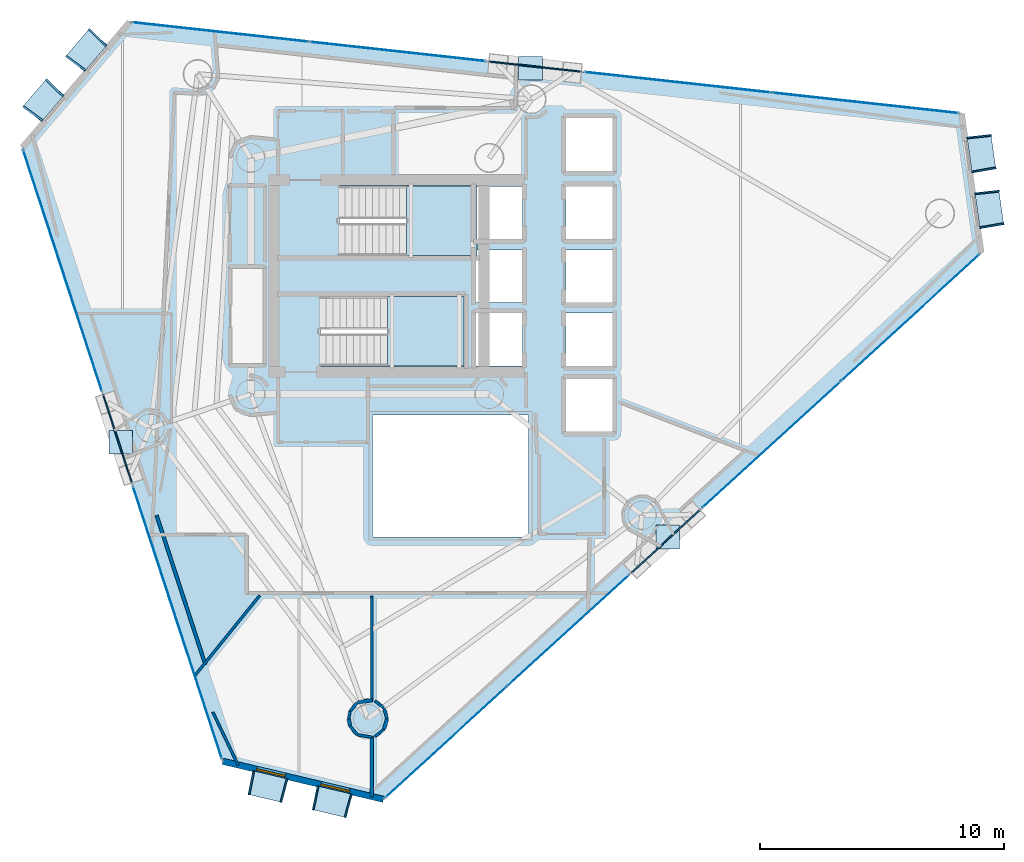
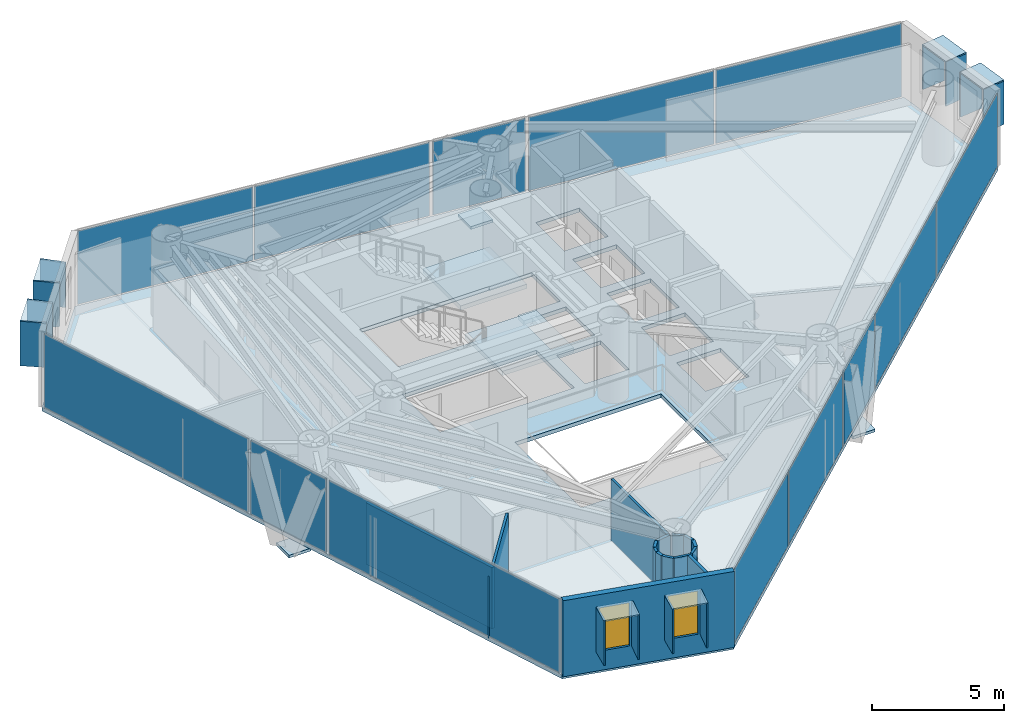
# One storey, part 18 of 24: 34 plates, 16 walls, 3 slabs, 2 windows, 2 openings, 11 elements without a shape of their own.
"""IFC4 building model written with IfcOpenShell, lengths in metres."""

from ifc_helpers import new_model, si_unit, direction, frame, frame_2d, origin, origin_2d, place, context, subcontext, project, spatial, polyline, rectangle, outline, extrude, material, layer, layer_set, type_object, element, fill, aggregate, save


model = new_model("IFC4")

# Units and contexts
model_context = context("Model", 3, precision=1e-05, world=origin(), true_north=direction((0.0, 1.0)))
body_context = subcontext(model_context, "Body", "Model", "MODEL_VIEW")
ifc_project = project(units=[si_unit("LENGTHUNIT", "METRE"), si_unit("AREAUNIT", "SQUARE_METRE"), si_unit("VOLUMEUNIT", "CUBIC_METRE"), si_unit("PLANEANGLEUNIT", "RADIAN"), si_unit("MASSUNIT", "GRAM", prefix="KILO")], contexts=[model_context])

# Site, building, storey
site_placement = place(None, origin())
site = spatial("IfcSite", under=ifc_project, at=site_placement, CompositionType="ELEMENT")
building_placement = place(site_placement, origin())
building = spatial("IfcBuilding", under=site, at=building_placement, Name="Qianvela Tower", CompositionType="ELEMENT")
storey_placement = place(building_placement, frame((0.0, 0.0, 222.5)))
storey = spatial("IfcBuildingStorey", under=building, at=storey_placement, Name="L57", CompositionType="ELEMENT", Elevation=222.5)

# Curtain wall, plate
ifc_material_1 = material(Name="Anodised Architectural Aluminium and Insulated Spandrel Panel", Category="aluminium")
ifc_layer_1 = layer(ifc_material_1, 0.179931640625)
ifc_layer_set_1 = layer_set([ifc_layer_1], Name="Anodised Architectural Aluminium and Insulated Spandrel Panel")
curtain_wall_type_1 = type_object("IfcCurtainWallType", Name="CW-BRACEBAY", PredefinedType="USERDEFINED", material=ifc_layer_set_1)
curtain_wall_1_placement = place(storey_placement, origin())
curtain_wall_1 = element("IfcCurtainWall", 1, at=curtain_wall_1_placement, inside=storey, type_object=curtain_wall_type_1, Name="L57 CW-BRACEBAY Curtain Wall 02B", ObjectType="CURTAIN_WALL_SYSTEM", PredefinedType="USERDEFINED")
ifc_material_2 = material(Name="Insulated Aluminium Spandrel Panel with Mineral-Wool Backpan", Category="aluminium")
ifc_layer_2 = layer(ifc_material_2, 0.06005859375)
ifc_layer_set_2 = layer_set([ifc_layer_2], Name="Insulated Aluminium Spandrel Panel with Mineral-Wool Backpan")
plate_type_1 = type_object("IfcPlateType", Name="CW-BRACEBAY-PNL", PredefinedType="CURTAIN_PANEL", material=ifc_layer_set_2)
plate_1_placement = place(storey_placement, frame((40.280517578125, 37.299072265625, 0.06494140625), z_axis=(0.0, 0.0, 1.0), x_axis=(-0.9940120737, 0.109270294859, 0.0)))
plate_1 = element("IfcPlate", 2, at=plate_1_placement, type_object=plate_type_1, Name="CW-9 panel 1.1", PredefinedType="CURTAIN_PANEL", context=body_context, shape_type="SweptSolid", body=[
    extrude(rectangle(XDim=3.840087890625, YDim=0.06005859375, at=origin_2d()), origin(), (0.0, 0.0, 1.0), 3.389892578125),
])
aggregate(curtain_wall_1, [plate_1])

curtain_wall_2_placement = place(storey_placement, origin())
curtain_wall_2 = element("IfcCurtainWall", 3, at=curtain_wall_2_placement, inside=storey, type_object=curtain_wall_type_1, Name="L57 CW-BRACEBAY Curtain Wall 04B", ObjectType="CURTAIN_WALL_SYSTEM", PredefinedType="USERDEFINED")
plate_2_placement = place(storey_placement, frame((23.135498046875, 22.023681640625, 0.06494140625), z_axis=(0.0, 0.0, 1.0), x_axis=(0.310350218806, -0.950622291811, 0.0)))
plate_2 = element("IfcPlate", 4, at=plate_2_placement, type_object=plate_type_1, Name="CW-9 panel 1.1", PredefinedType="CURTAIN_PANEL", context=body_context, shape_type="SweptSolid", body=[
    extrude(rectangle(XDim=3.840087890625, YDim=0.06005859375, at=origin_2d()), origin(), (0.0, 0.0, 1.0), 3.389892578125),
])
aggregate(curtain_wall_2, [plate_2])

curtain_wall_3_placement = place(storey_placement, origin())
curtain_wall_3 = element("IfcCurtainWall", 5, at=curtain_wall_3_placement, inside=storey, type_object=curtain_wall_type_1, Name="L57 CW-BRACEBAY Curtain Wall 06B", ObjectType="CURTAIN_WALL_SYSTEM", PredefinedType="USERDEFINED")
plate_3_placement = place(storey_placement, frame((45.6416015625, 17.81396484375, 0.06494140625), z_axis=(0.0, 0.0, 1.0), x_axis=(0.738055623653, 0.674739873132, 0.0)))
plate_3 = element("IfcPlate", 6, at=plate_3_placement, type_object=plate_type_1, Name="CW-9 panel 1.1", PredefinedType="CURTAIN_PANEL", context=body_context, shape_type="SweptSolid", body=[
    extrude(rectangle(XDim=3.85009765625, YDim=0.06005859375, at=origin_2d()), origin(), (0.0, 0.0, 1.0), 3.389892578125),
])
aggregate(curtain_wall_3, [plate_3])

# Curtain wall, plates
ifc_material_3 = material(Name="Anodised Architectural Aluminium and Low-E Glass", Category="aluminium")
ifc_layer_3 = layer(ifc_material_3, 0.159912109375)
ifc_layer_set_3 = layer_set([ifc_layer_3], Name="Anodised Architectural Aluminium and Low-E Glass")
curtain_wall_type_2 = type_object("IfcCurtainWallType", Name="CW-COLIV-Z56", PredefinedType="USERDEFINED", material=ifc_layer_set_3)
curtain_wall_4_placement = place(storey_placement, origin())
curtain_wall_4 = element("IfcCurtainWall", 7, at=curtain_wall_4_placement, inside=storey, type_object=curtain_wall_type_2, Name="L57 CW-COLIV-Z56 Curtain Wall 02A", ObjectType="CURTAIN_WALL_SYSTEM", PredefinedType="USERDEFINED")
ifc_material_4 = material(Name="Double-Silver Low-E Insulated Glass", Category="glass")
ifc_layer_4 = layer(ifc_material_4, 0.028076171875)
ifc_layer_set_4 = layer_set([ifc_layer_4], Name="Double-Silver Low-E Insulated Glass")
plate_type_2 = type_object("IfcPlateType", Name="CW-COLIV-Z56-PNL", PredefinedType="CURTAIN_PANEL", material=ifc_layer_set_4)
plate_4_placement = place(storey_placement, frame((53.84521484375, 35.807861328125, 0.06005859375), z_axis=(0.0, 0.0, 1.0), x_axis=(-0.994013064318, 0.109261283012, 0.0)))
plate_4 = element("IfcPlate", 8, at=plate_4_placement, type_object=plate_type_2, Name="CW-5 panel 1.1", PredefinedType="CURTAIN_PANEL", context=body_context, shape_type="SweptSolid", body=[
    extrude(rectangle(XDim=7.6875, YDim=0.028076171875, at=origin_2d()), origin(), (0.0, 0.0, 1.0), 3.39990234375),
])
plate_5_placement = place(storey_placement, frame((46.13916015625, 36.655029296875, 0.06005859375), z_axis=(0.0, 0.0, 1.0), x_axis=(-0.994013064318, 0.109261283012, 0.0)))
plate_5 = element("IfcPlate", 9, at=plate_5_placement, type_object=plate_type_2, Name="CW-5 panel 2.1", PredefinedType="CURTAIN_PANEL", context=body_context, shape_type="SweptSolid", body=[
    extrude(rectangle(XDim=7.6875, YDim=0.028076171875, at=origin_2d()), origin(), (0.0, 0.0, 1.0), 3.39990234375),
])
aggregate(curtain_wall_4, [plate_4, plate_5])

curtain_wall_5_placement = place(storey_placement, origin())
curtain_wall_5 = element("IfcCurtainWall", 10, at=curtain_wall_5_placement, inside=storey, type_object=curtain_wall_type_2, Name="L57 CW-COLIV-Z56 Curtain Wall 02C", ObjectType="CURTAIN_WALL_SYSTEM", PredefinedType="USERDEFINED")
plate_6_placement = place(storey_placement, frame((34.63623046875, 37.91943359375, 0.06005859375), z_axis=(0.0, 0.0, 1.0), x_axis=(-0.994012968631, 0.109262153523, 0.0)))
plate_6 = element("IfcPlate", 11, at=plate_6_placement, type_object=plate_type_2, Name="CW-5 panel 1.1", PredefinedType="CURTAIN_PANEL", context=body_context, shape_type="SweptSolid", body=[
    extrude(rectangle(XDim=7.2568359375, YDim=0.028076171875, at=origin_2d()), origin(), (0.0, 0.0, 1.0), 3.39990234375),
])
plate_7_placement = place(storey_placement, frame((27.358154296875, 38.719482421875, 0.06005859375), z_axis=(0.0, 0.0, 1.0), x_axis=(-0.994012968631, 0.109262153523, 0.0)))
plate_7 = element("IfcPlate", 12, at=plate_7_placement, type_object=plate_type_2, Name="CW-5 panel 2.1", PredefinedType="CURTAIN_PANEL", context=body_context, shape_type="SweptSolid", body=[
    extrude(rectangle(XDim=7.2568359375, YDim=0.028076171875, at=origin_2d()), origin(), (0.0, 0.0, 1.0), 3.39990234375),
])
aggregate(curtain_wall_5, [plate_6, plate_7])

# Curtain wall, plate
curtain_wall_6_placement = place(storey_placement, origin())
curtain_wall_6 = element("IfcCurtainWall", 13, at=curtain_wall_6_placement, inside=storey, type_object=curtain_wall_type_2, Name="L57 CW-COLIV-Z56 Curtain Wall 04A", ObjectType="CURTAIN_WALL_SYSTEM", PredefinedType="USERDEFINED")
plate_8_placement = place(storey_placement, frame((20.8837890625, 28.920654296875, 0.06005859375), z_axis=(0.0, 0.0, 1.0), x_axis=(0.310341241486, -0.950625222595, 0.0)))
plate_8 = element("IfcPlate", 14, at=plate_8_placement, type_object=plate_type_2, Name="CW-5 panel 1.1", PredefinedType="CURTAIN_PANEL", context=body_context, shape_type="SweptSolid", body=[
    extrude(rectangle(XDim=10.409912109375, YDim=0.028076171875, at=origin_2d()), origin(), (0.0, 0.0, 1.0), 3.39990234375),
])
aggregate(curtain_wall_6, [plate_8])

curtain_wall_7_placement = place(storey_placement, origin())
curtain_wall_7 = element("IfcCurtainWall", 15, at=curtain_wall_7_placement, inside=storey, type_object=curtain_wall_type_2, Name="L57 CW-COLIV-Z56 Curtain Wall 04C", ObjectType="CURTAIN_WALL_SYSTEM", PredefinedType="USERDEFINED")
plate_9_placement = place(storey_placement, frame((25.597412109375, 14.482421875, 0.06005859375), z_axis=(0.0, 0.0, 1.0), x_axis=(0.310343337328, -0.950624538383, 0.0)))
plate_9 = element("IfcPlate", 16, at=plate_9_placement, type_object=plate_type_2, Name="CW-5 panel 1.1", PredefinedType="CURTAIN_PANEL", context=body_context, shape_type="SweptSolid", body=[
    extrude(rectangle(XDim=11.76611328125, YDim=0.028076171875, at=origin_2d()), origin(), (0.0, 0.0, 1.0), 3.39990234375),
])
aggregate(curtain_wall_7, [plate_9])

# Curtain wall, plates
curtain_wall_8_placement = place(storey_placement, origin())
curtain_wall_8 = element("IfcCurtainWall", 17, at=curtain_wall_8_placement, inside=storey, type_object=curtain_wall_type_2, Name="L57 CW-COLIV-Z56 Curtain Wall 06A", ObjectType="CURTAIN_WALL_SYSTEM", PredefinedType="USERDEFINED")
plate_10_placement = place(storey_placement, frame((36.623291015625, 9.569580078125, 0.06005859375), z_axis=(0.0, 0.0, 1.0), x_axis=(0.738066309178, 0.674728184721, 0.0)))
plate_10 = element("IfcPlate", 18, at=plate_10_placement, type_object=plate_type_2, Name="CW-5 panel 1.1", PredefinedType="CURTAIN_PANEL", context=body_context, shape_type="SweptSolid", body=[
    extrude(rectangle(XDim=6.732421875, YDim=0.028076171875, at=origin_2d()), origin(), (0.0, 0.0, 1.0), 3.39990234375),
])
plate_11_placement = place(storey_placement, frame((41.640380859375, 14.156005859375, 0.06005859375), z_axis=(0.0, 0.0, 1.0), x_axis=(0.738066309178, 0.674728184721, 0.0)))
plate_11 = element("IfcPlate", 19, at=plate_11_placement, type_object=plate_type_2, Name="CW-5 panel 2.1", PredefinedType="CURTAIN_PANEL", context=body_context, shape_type="SweptSolid", body=[
    extrude(rectangle(XDim=6.732421875, YDim=0.028076171875, at=origin_2d()), origin(), (0.0, 0.0, 1.0), 3.39990234375),
])
aggregate(curtain_wall_8, [plate_10, plate_11])

curtain_wall_9_placement = place(storey_placement, origin())
curtain_wall_9 = element("IfcCurtainWall", 20, at=curtain_wall_9_placement, inside=storey, type_object=curtain_wall_type_2, Name="L57 CW-COLIV-Z56 Curtain Wall 06C", ObjectType="CURTAIN_WALL_SYSTEM", PredefinedType="USERDEFINED")
plate_12_placement = place(storey_placement, frame((49.983154296875, 21.782958984375, 0.06005859375), z_axis=(0.0, 0.0, 1.0), x_axis=(0.738065886599, 0.674728646967, 0.0)))
plate_12 = element("IfcPlate", 21, at=plate_12_placement, type_object=plate_type_2, Name="CW-5 panel 1.1", PredefinedType="CURTAIN_PANEL", context=body_context, shape_type="SweptSolid", body=[
    extrude(rectangle(XDim=7.654541015625, YDim=0.028076171875, at=origin_2d()), origin(), (0.0, 0.0, 1.0), 3.39990234375),
])
plate_13_placement = place(storey_placement, frame((55.6806640625, 26.99169921875, 0.06005859375), z_axis=(0.0, 0.0, 1.0), x_axis=(0.738065886599, 0.674728646967, 0.0)))
plate_13 = element("IfcPlate", 22, at=plate_13_placement, type_object=plate_type_2, Name="CW-5 panel 2.1", PredefinedType="CURTAIN_PANEL", context=body_context, shape_type="SweptSolid", body=[
    extrude(rectangle(XDim=7.654541015625, YDim=0.028076171875, at=origin_2d()), origin(), (0.0, 0.0, 1.0), 3.39990234375),
])
aggregate(curtain_wall_9, [plate_12, plate_13])

# Plates
ifc_material_5 = material(Name="Steel Q420GJC", Category="steel")
ifc_layer_5 = layer(ifc_material_5, 0.1298828125)
ifc_layer_set_5 = layer_set([ifc_layer_5], Name="Steel Q420GJC")
plate_type_3 = type_object("IfcPlateType", Name="PT-ENDCAP-130", PredefinedType="USERDEFINED", material=ifc_layer_set_5)
for number, where, z_axis, x_axis, name in (
    (23, (40.092529296875, 37.2392578125, -0.603271484375), (0.0, 0.0, 1.0), (1.0, 0.0, 0.0), "L57 Hollow Section End Cap Plate A"),
    (24, (23.266357421875, 21.880615234375, -0.603271484375), (0.0, 0.0, 1.0), (1.0, 0.0, 0.0), "L57 Hollow Section End Cap Plate A"),
    (25, (45.71875, 17.992919921875, -0.603271484375), (0.0, 0.0, 1.0), (1.0, 0.0, 0.0), "L57 Hollow Section End Cap Plate A"),
):
    element("IfcPlate", number, at=place(storey_placement, frame(where, z_axis=z_axis, x_axis=x_axis)), inside=storey, type_object=plate_type_3, Name=name, ObjectType="END_CAP", PredefinedType="USERDEFINED", context=body_context, shape_type="SweptSolid", body=[
        extrude(rectangle(XDim=0.969970703125, YDim=0.969970703125, at=origin_2d()), origin(), (0.0, 0.0, 1.0), 0.1298828125),
    ])

# Slab
ifc_material_6 = material(Name="Concrete C40", Category="concrete")
ifc_layer_6 = layer(ifc_material_6, 0.179931640625)
ifc_layer_set_6 = layer_set([ifc_layer_6], Name="Concrete C40")
slab_type_1 = type_object("IfcSlabType", Name="SL-FLOOR-180", PredefinedType="FLOOR", material=ifc_layer_set_6)
slab_1_placement = place(storey_placement, frame((0.0, 0.0, -0.179931640625)))
element("IfcSlab", 26, at=slab_1_placement, inside=storey, type_object=slab_type_1, Name="L57 Composite Structural Floor Slab", PredefinedType="FLOOR", context=body_context, shape_type="SweptSolid", body=[
    extrude(outline(polyline([(58.59033203125, 29.651611328125), (57.7802734375, 35.37548828125), (23.63720703125, 39.12841796875), (19.23291015625, 33.977783203125), (27.458984375, 8.780517578125), (34.053955078125, 7.220703125), (58.59033203125, 29.651611328125)]), holes=[polyline([(40.0, 23.0), (33.60009765625, 23.0), (33.60009765625, 18.0), (40.0, 18.0), (40.0, 23.0)]), polyline([(39.760009765625, 27.179931640625), (37.840087890625, 27.179931640625), (37.840087890625, 25.02001953125), (39.760009765625, 25.02001953125), (39.760009765625, 27.179931640625)]), polyline([(37.35009765625, 27.860107421875), (31.469970703125, 27.860107421875), (31.469970703125, 25.0), (37.35009765625, 25.0), (37.35009765625, 27.860107421875)]), polyline([(37.840087890625, 27.6201171875), (39.760009765625, 27.6201171875), (39.760009765625, 29.780029296875), (37.89990234375, 29.780029296875), (37.89990234375, 30.219970703125), (39.760009765625, 30.219970703125), (39.760009765625, 32.3798828125), (37.89990234375, 32.3798828125), (37.89990234375, 32.39990234375), (32.25, 32.39990234375), (32.25, 29.5400390625), (37.840087890625, 29.5400390625), (37.840087890625, 27.6201171875)]), polyline([(43.4599609375, 22.320068359375), (43.4599609375, 24.47998046875), (41.5400390625, 24.47998046875), (41.5400390625, 22.320068359375), (43.4599609375, 22.320068359375)]), polyline([(43.4599609375, 25.02001953125), (43.4599609375, 27.179931640625), (41.5400390625, 27.179931640625), (41.5400390625, 25.02001953125), (43.4599609375, 25.02001953125)]), polyline([(43.4599609375, 29.780029296875), (41.5400390625, 29.780029296875), (41.5400390625, 27.6201171875), (43.4599609375, 27.6201171875), (43.4599609375, 29.780029296875)]), polyline([(43.4599609375, 30.219970703125), (43.4599609375, 32.3798828125), (41.5400390625, 32.3798828125), (41.5400390625, 30.219970703125), (43.4599609375, 30.219970703125)]), polyline([(43.4599609375, 33.02001953125), (43.4599609375, 35.179931640625), (41.5400390625, 35.179931640625), (41.5400390625, 33.02001953125), (43.4599609375, 33.02001953125)])]), origin(), (0.0, 0.0, 1.0), 0.179931640625),
])

# Stair, slab
ifc_material_7 = material(Name="Concrete C40", Category="concrete")
stair_type = type_object("IfcStairType", Name="ST-DOGLEG-1350-R168-N22", PredefinedType="HALF_TURN_STAIR", material=ifc_material_7)
stair_1_placement = place(storey_placement, origin())
stair_1 = element("IfcStair", 27, at=stair_1_placement, inside=storey, type_object=stair_type, Name="L57 Smoke-Proof Core Stair ST-1", PredefinedType="HALF_TURN_STAIR")
ifc_material_8 = material(Name="Concrete C40", Category="concrete")
ifc_layer_7 = layer(ifc_material_8, 0.199951171875)
ifc_layer_set_7 = layer_set([ifc_layer_7], Name="Concrete C40")
slab_type_2 = type_object("IfcSlabType", Name="SL-STAIR-LANDING-200", PredefinedType="LANDING", material=ifc_layer_set_7)
slab_2_placement = place(storey_placement, frame((0.0, 0.0, 1.64990234375)))
slab_2 = element("IfcSlab", 28, at=slab_2_placement, type_object=slab_type_2, Name="ST-1 landing 1", PredefinedType="LANDING", context=body_context, shape_type="SweptSolid", body=[
    extrude(outline(polyline([(35.0, 29.5400390625), (37.89990234375, 29.5400390625), (37.89990234375, 32.39990234375), (35.0, 32.39990234375), (35.0, 29.5400390625)])), origin(), (0.0, 0.0, 1.0), 0.2001953125),
])
aggregate(stair_1, [slab_2])

stair_2_placement = place(storey_placement, origin())
stair_2 = element("IfcStair", 29, at=stair_2_placement, inside=storey, type_object=stair_type, Name="L57 Smoke-Proof Core Stair ST-2", PredefinedType="HALF_TURN_STAIR")
slab_3_placement = place(storey_placement, frame((0.0, 0.0, 1.64990234375)))
slab_3 = element("IfcSlab", 30, at=slab_3_placement, type_object=slab_type_2, Name="ST-2 landing 1", PredefinedType="LANDING", context=body_context, shape_type="SweptSolid", body=[
    extrude(outline(polyline([(34.219970703125, 25.0), (37.35009765625, 25.0), (37.35009765625, 27.860107421875), (34.219970703125, 27.860107421875), (34.219970703125, 25.0)])), origin(), (0.0, 0.0, 1.0), 0.2001953125),
])
aggregate(stair_2, [slab_3])

# Plates
ifc_material_9 = material(Name="Vitrified Architectural Terracotta Panel", Category="masonry")
ifc_layer_8 = layer(ifc_material_9, 0.06494140625)
ifc_layer_set_8 = layer_set([ifc_layer_8], Name="Vitrified Architectural Terracotta Panel")
plate_type_4 = type_object("IfcPlateType", Name="TERRACOTTA-SUNSHADE-HOOD-FOLD-B", PredefinedType="USERDEFINED", material=ifc_layer_set_8)
for number, where, z_axis, x_axis, name in (
    (31, (58.926513671875, 31.45068359375, 2.909912109375), (0.0, 0.0, 1.0), (-0.140153003604, 0.990129857938, 0.0), "L57 Terracotta Sunshade Hood FOLD-B"),
    (32, (58.6025390625, 33.740234375, 2.909912109375), (0.0, 0.0, 1.0), (-0.140153003604, 0.990129857938, 0.0), "L57 Terracotta Sunshade Hood FOLD-B"),
    (33, (29.302734375, 7.743408203125, 2.909912109375), (0.0, 0.0, 1.0), (0.973152366493, -0.23016183782, 0.0), "L57 Terracotta Sunshade Hood FOLD-B"),
    (34, (31.94091796875, 7.119384765625, 2.909912109375), (0.0, 0.0, 1.0), (0.973152366493, -0.23016183782, 0.0), "L57 Terracotta Sunshade Hood FOLD-B"),
):
    element("IfcPlate", number, at=place(storey_placement, frame(where, z_axis=z_axis, x_axis=x_axis)), inside=storey, type_object=plate_type_4, Name=name, ObjectType="SUNSHADE", PredefinedType="USERDEFINED", context=body_context, shape_type="SweptSolid", body=[
        extrude(rectangle(XDim=1.43994140625, YDim=0.989990234375, at=origin_2d()), origin(), (0.0, 0.0, 1.0), 0.06005859375),
    ])
ifc_material_10 = material(Name="Vitrified Architectural Terracotta Panel", Category="masonry")
ifc_layer_9 = layer(ifc_material_10, 0.074951171875)
ifc_layer_set_9 = layer_set([ifc_layer_9], Name="Vitrified Architectural Terracotta Panel")
plate_type_5 = type_object("IfcPlateType", Name="TERRACOTTA-SUNSHADE-HOOD-FOLD-D", PredefinedType="USERDEFINED", material=ifc_layer_set_9)
for number, where, z_axis, x_axis, name in (
    (35, (21.871337890625, 37.96337890625, 2.909912109375), (0.0, 0.0, 1.0), (-0.649897841453, -0.760021575796, 0.0), "L57 Terracotta Sunshade Hood FOLD-D"),
    (36, (20.109619140625, 35.9033203125, 2.909912109375), (0.0, 0.0, 1.0), (-0.649897841453, -0.760021575796, 0.0), "L57 Terracotta Sunshade Hood FOLD-D"),
):
    element("IfcPlate", number, at=place(storey_placement, frame(where, z_axis=z_axis, x_axis=x_axis)), inside=storey, type_object=plate_type_5, Name=name, ObjectType="SUNSHADE", PredefinedType="USERDEFINED", context=body_context, shape_type="SweptSolid", body=[
        extrude(rectangle(XDim=1.43994140625, YDim=0.989990234375, at=origin_2d()), origin(), (0.0, 0.0, 1.0), 0.06005859375),
    ])
ifc_material_11 = material(Name="Vitrified Architectural Terracotta Side Fin Panel", Category="masonry")
ifc_layer_10 = layer(ifc_material_11, 0.070068359375)
ifc_layer_set_10 = layer_set([ifc_layer_10], Name="Vitrified Architectural Terracotta Side Fin Panel")
plate_type_6 = type_object("IfcPlateType", Name="TERRACOTTA-SUNSHADE-STRUT-FOLD-B", PredefinedType="USERDEFINED", material=ifc_layer_set_10)
for number, where, z_axis, x_axis, name in (
    (37, (59.023193359375, 30.767578125, 0.89990234375), (0.0, 0.0, 1.0), (-0.170324728704, 0.985387987948, 0.0), "L57 Terracotta Sunshade Side Fin HL FOLD-B"),
    (38, (58.829833984375, 32.1337890625, 0.89990234375), (0.0, 0.0, 1.0), (-0.109850541212, 0.993948116652, 0.0), "L57 Terracotta Sunshade Side Fin HR FOLD-B"),
    (39, (58.69921875, 33.05712890625, 0.89990234375), (0.0, 0.0, 1.0), (-0.170324728704, 0.985387987948, 0.0), "L57 Terracotta Sunshade Side Fin HL FOLD-B"),
    (40, (58.505859375, 34.42333984375, 0.89990234375), (0.0, 0.0, 1.0), (-0.109850541212, 0.993948116652, 0.0), "L57 Terracotta Sunshade Side Fin HR FOLD-B"),
    (41, (28.63134765625, 7.902099609375, 0.89990234375), (0.0, 0.0, 1.0), (0.979727279637, -0.200335861831, 0.0), "L57 Terracotta Sunshade Side Fin HL FOLD-B"),
    (42, (29.97412109375, 7.58447265625, 0.89990234375), (0.0, 0.0, 1.0), (0.965669678987, -0.259773114629, 0.0), "L57 Terracotta Sunshade Side Fin HR FOLD-B"),
    (43, (31.269287109375, 7.2783203125, 0.89990234375), (0.0, 0.0, 1.0), (0.979727279637, -0.200335861831, 0.0), "L57 Terracotta Sunshade Side Fin HL FOLD-B"),
    (44, (32.6123046875, 6.96044921875, 0.89990234375), (0.0, 0.0, 1.0), (0.965669678987, -0.259773114629, 0.0), "L57 Terracotta Sunshade Side Fin HR FOLD-B"),
):
    element("IfcPlate", number, at=place(storey_placement, frame(where, z_axis=z_axis, x_axis=x_axis)), inside=storey, type_object=plate_type_6, Name=name, ObjectType="SUNSHADE", PredefinedType="USERDEFINED", context=body_context, shape_type="SweptSolid", body=[
        extrude(rectangle(XDim=0.070068359375, YDim=1.010009765625, at=origin_2d()), origin(), (0.0, 0.0, 1.0), 2.06005859375),
    ])
ifc_material_12 = material(Name="Vitrified Architectural Terracotta Side Fin Panel", Category="masonry")
ifc_layer_11 = layer(ifc_material_12, 0.080078125)
ifc_layer_set_11 = layer_set([ifc_layer_11], Name="Vitrified Architectural Terracotta Side Fin Panel")
plate_type_7 = type_object("IfcPlateType", Name="TERRACOTTA-SUNSHADE-STRUT-FOLD-D", PredefinedType="USERDEFINED", material=ifc_layer_set_11)
for number, where, z_axis, x_axis, name in (
    (45, (22.319580078125, 38.48779296875, 0.89990234375), (0.0, 0.0, 1.0), (-0.704434794183, -0.709768709331, 0.0), "L57 Terracotta Sunshade Side Fin HL FOLD-D"),
    (46, (21.4228515625, 37.439208984375, 0.89990234375), (0.0, 0.0, 1.0), (-0.591786691186, -0.806094604953, 0.0), "L57 Terracotta Sunshade Side Fin HR FOLD-D"),
    (47, (20.55810546875, 36.427734375, 0.89990234375), (0.0, 0.0, 1.0), (-0.704434794183, -0.709768709331, 0.0), "L57 Terracotta Sunshade Side Fin HL FOLD-D"),
    (48, (19.6611328125, 35.37890625, 0.89990234375), (0.0, 0.0, 1.0), (-0.591786691186, -0.806094604953, 0.0), "L57 Terracotta Sunshade Side Fin HR FOLD-D"),
):
    element("IfcPlate", number, at=place(storey_placement, frame(where, z_axis=z_axis, x_axis=x_axis)), inside=storey, type_object=plate_type_7, Name=name, ObjectType="SUNSHADE", PredefinedType="USERDEFINED", context=body_context, shape_type="SweptSolid", body=[
        extrude(rectangle(XDim=0.080078125, YDim=1.010009765625, at=origin_2d()), origin(), (0.0, 0.0, 1.0), 2.06005859375),
    ])

# Wall, openings, windows
ifc_material_13 = material(Name="Terracotta Cladding on Concrete C40", Category="masonry")
ifc_layer_12 = layer(ifc_material_13, 0.260009765625)
ifc_layer_set_12 = layer_set([ifc_layer_12], Name="Terracotta Cladding on Concrete C40")
wall_type_1 = type_object("IfcWallType", Name="TERRACOTTA-WALL-260", PredefinedType="SOLIDWALL", material=ifc_layer_set_12)
wall_1_placement = place(storey_placement, frame((27.458984375, 8.780517578125, 0.0), z_axis=(0.0, 0.0, 1.0), x_axis=(0.973151464815, -0.230165650194, 0.0)))
wall_1 = element("IfcWall", 49, at=wall_1_placement, inside=storey, type_object=wall_type_1, Name="L57 Terracotta Chamfer Facet Wall 5", PredefinedType="SOLIDWALL", context=body_context, shape_type="SweptSolid", body=[
    extrude(rectangle(XDim=6.77685546875, YDim=0.260009765625, at=frame_2d((3.388427734375, 0.0))), origin(), (0.0, 0.0, 1.0), 3.52001953125),
])
opening_1_placement = place(wall_1_placement, frame((1.43310546875, 0.0, 0.89990234375)))
opening_1 = element("IfcOpeningElement", 50, at=opening_1_placement, cuts=wall_1, Name="Opening W-03", PredefinedType="OPENING", context=body_context, shape_type="SweptSolid", body=[
    extrude(rectangle(XDim=1.199951171875, YDim=2.0, at=frame_2d((0.60009765625, 1.0))), frame((0.0, 0.139892578125, 0.0), z_axis=(0.0, -1.0, 0.0), x_axis=(1.0, 0.0, 0.0)), (0.0, 0.0, 1.0), 0.280029296875),
])
opening_2_placement = place(wall_1_placement, frame((4.143798828125, 0.0, 0.89990234375)))
opening_2 = element("IfcOpeningElement", 51, at=opening_2_placement, cuts=wall_1, Name="Opening W-03", PredefinedType="OPENING", context=body_context, shape_type="SweptSolid", body=[
    extrude(rectangle(XDim=1.199951171875, YDim=2.0, at=frame_2d((0.60009765625, 1.0))), frame((0.0, 0.139892578125, 0.0), z_axis=(0.0, -1.0, 0.0), x_axis=(1.0, 0.0, 0.0)), (0.0, 0.0, 1.0), 0.280029296875),
])
ifc_material_14 = material(Name="Thermally Broken Aluminium and Low-E Glass", Category="aluminium")
window_type = type_object("IfcWindowType", Name="WIN-TC-1200x2000", PartitioningType="SINGLE_PANEL", PredefinedType="WINDOW", material=ifc_material_14)
window_1_placement = place(opening_1_placement, origin())
window_1 = element("IfcWindow", 52, at=window_1_placement, inside=storey, type_object=window_type, Name="L57 Chamfer Facet Window 5.1", OverallHeight=2.0, OverallWidth=1.199951171875, PartitioningType="SINGLE_PANEL", PredefinedType="WINDOW", context=body_context, shape_type="SweptSolid", body=[
    extrude(rectangle(XDim=1.199951171875, YDim=2.0, at=frame_2d((0.60009765625, 1.0))), frame((0.0, 0.030029296875, 0.0), z_axis=(0.0, -1.0, 0.0), x_axis=(1.0, 0.0, 0.0)), (0.0, 0.0, 1.0), 0.06005859375),
])
fill(opening_1, window_1)
window_2_placement = place(opening_2_placement, origin())
window_2 = element("IfcWindow", 53, at=window_2_placement, inside=storey, type_object=window_type, Name="L57 Chamfer Facet Window 5.2", OverallHeight=2.0, OverallWidth=1.199951171875, PartitioningType="SINGLE_PANEL", PredefinedType="WINDOW", context=body_context, shape_type="SweptSolid", body=[
    extrude(rectangle(XDim=1.199951171875, YDim=2.0, at=frame_2d((0.60009765625, 1.0))), frame((0.0, 0.030029296875, 0.0), z_axis=(0.0, -1.0, 0.0), x_axis=(1.0, 0.0, 0.0)), (0.0, 0.0, 1.0), 0.06005859375),
])
fill(opening_2, window_2)

# Walls
ifc_material_15 = material(Name="Lightweight Gypsum Room Partition")
ifc_layer_13 = layer(ifc_material_15, 0.10498046875)
ifc_layer_set_13 = layer_set([ifc_layer_13], Name="Lightweight Gypsum Room Partition")
wall_type_2 = type_object("IfcWallType", Name="WT-PART-105", PredefinedType="PARTITIONING", material=ifc_layer_set_13)
wall_2_placement = place(storey_placement, frame((28.975830078125, 15.589599609375, 0.0), z_axis=(0.0, 0.0, 1.0), x_axis=(-0.629336859713, -0.777132625108, 0.0)))
element("IfcWall", 54, at=wall_2_placement, inside=storey, type_object=wall_type_2, Name="L57 Partition 76", PredefinedType="PARTITIONING", context=body_context, shape_type="SweptSolid", body=[
    extrude(rectangle(XDim=4.255126953125, YDim=0.10498046875, at=frame_2d((2.12744140625, 0.0))), origin(), (0.0, 0.0, 1.0), 2.840087890625),
])
wall_3_placement = place(storey_placement, frame((33.566162109375, 15.570068359375, 0.0), z_axis=(0.0, 0.0, 1.0), x_axis=(0.0, -1.0, 0.0)))
element("IfcWall", 55, at=wall_3_placement, inside=storey, type_object=wall_type_2, Name="L57 Partition 91", PredefinedType="PARTITIONING", context=body_context, shape_type="SweptSolid", body=[
    extrude(rectangle(XDim=4.3046875, YDim=0.10498046875, at=frame_2d((2.15234375, 0.0))), origin(), (0.0, 0.0, 1.0), 2.840087890625),
])
wall_4_placement = place(storey_placement, frame((32.680419921875, 10.827880859375, 0.0), z_axis=(0.0, 0.0, 1.0), x_axis=(-0.19516586844, -0.980770250261, 0.0)))
element("IfcWall", 56, at=wall_4_placement, inside=storey, type_object=wall_type_2, Name="L57 Partition 94", PredefinedType="PARTITIONING", context=body_context, shape_type="SweptSolid", body=[
    extrude(rectangle(XDim=0.29638671875, YDim=0.10498046875, at=frame_2d((0.148193359375, 0.0))), origin(), (0.0, 0.0, 1.0), 2.840087890625),
])
wall_5_placement = place(storey_placement, frame((32.985595703125, 9.868408203125, 0.0), z_axis=(0.0, 0.0, 1.0), x_axis=(0.986004987634, -0.166715819165, 0.0)))
element("IfcWall", 57, at=wall_5_placement, inside=storey, type_object=wall_type_2, Name="L57 Partition 97", PredefinedType="PARTITIONING", context=body_context, shape_type="SweptSolid", body=[
    extrude(rectangle(XDim=0.614990234375, YDim=0.10498046875, at=frame_2d((0.3076171875, 0.0))), origin(), (0.0, 0.0, 1.0), 2.840087890625),
])
wall_6_placement = place(storey_placement, frame((28.09326171875, 8.61279296875, 0.0), z_axis=(0.0, 0.0, 1.0), x_axis=(-0.429835776359, 0.902907085675, 0.0)))
element("IfcWall", 58, at=wall_6_placement, inside=storey, type_object=wall_type_2, Name="L57 Partition 100 seg 1", PredefinedType="PARTITIONING", context=body_context, shape_type="SweptSolid", body=[
    extrude(rectangle(XDim=2.42236328125, YDim=0.10498046875, at=frame_2d((1.211181640625, 0.0))), origin(), (0.0, 0.0, 1.0), 2.840087890625),
])
for number, where, z_axis, x_axis, name in (
    (59, (33.700439453125, 9.797607421875, 0.0), (0.0, 0.0, 1.0), (0.785219888975, 0.619217026541, 0.0), "L57 Partition 103"),
    (60, (34.064208984375, 10.9775390625, 0.0), (0.0, 0.0, 1.0), (-0.785219888975, 0.619217026541, 0.0), "L57 Partition 106"),
):
    element("IfcWall", number, at=place(storey_placement, frame(where, z_axis=z_axis, x_axis=x_axis)), inside=storey, type_object=wall_type_2, Name=name, PredefinedType="PARTITIONING", context=body_context, shape_type="SweptSolid", body=[
        extrude(rectangle(XDim=0.46337890625, YDim=0.10498046875, at=frame_2d((0.231689453125, 0.0))), origin(), (0.0, 0.0, 1.0), 2.840087890625),
    ])
ifc_material_16 = material(Name="Insulated Gypsum Stud Partition")
ifc_layer_14 = layer(ifc_material_16, 0.1201171875)
ifc_layer_set_14 = layer_set([ifc_layer_14], Name="Insulated Gypsum Stud Partition")
wall_type_3 = type_object("IfcWallType", Name="WT-PART-120", PredefinedType="PARTITIONING", material=ifc_layer_set_14)
for number, where, z_axis, x_axis, name in (
    (61, (32.966796875, 11.1826171875, 0.0), (0.0, 0.0, 1.0), (-0.634231799198, -0.773142952426, 0.0), "L57 Partition 93"),
    (62, (32.68701171875, 10.220458984375, 0.0), (0.0, 0.0, 1.0), (0.634231799198, -0.773142952426, 0.0), "L57 Partition 96"),
    (63, (34.20263671875, 10.5400390625, 0.0), (0.0, 0.0, 1.0), (-0.290038119708, 0.957015093463, 0.0), "L57 Partition 105"),
):
    element("IfcWall", number, at=place(storey_placement, frame(where, z_axis=z_axis, x_axis=x_axis)), inside=storey, type_object=wall_type_3, Name=name, PredefinedType="PARTITIONING", context=body_context, shape_type="SweptSolid", body=[
        extrude(rectangle(XDim=0.441162109375, YDim=0.1201171875, at=frame_2d((0.220703125, 0.0))), origin(), (0.0, 0.0, 1.0), 2.840087890625),
    ])
ifc_material_17 = material(Name="Acoustic Double Gypsum Stud Partition")
ifc_layer_15 = layer(ifc_material_17, 0.139892578125)
ifc_layer_set_15 = layer_set([ifc_layer_15], Name="Acoustic Double Gypsum Stud Partition")
wall_type_4 = type_object("IfcWallType", Name="WT-ROOM-140", PredefinedType="PARTITIONING", material=ifc_layer_set_15)
wall_7_placement = place(storey_placement, frame((33.592041015625, 11.296142578125, 0.0), z_axis=(0.0, 0.0, 1.0), x_axis=(-0.986004987634, -0.166715819165, 0.0)))
element("IfcWall", 64, at=wall_7_placement, inside=storey, type_object=wall_type_4, Name="L57 Partition 92", PredefinedType="PARTITIONING", context=body_context, shape_type="SweptSolid", body=[
    extrude(rectangle(XDim=0.614990234375, YDim=0.139892578125, at=frame_2d((0.3076171875, 0.0))), origin(), (0.0, 0.0, 1.0), 2.840087890625),
])
wall_8_placement = place(storey_placement, frame((32.62255859375, 10.52490234375, 0.0), z_axis=(0.0, 0.0, 1.0), x_axis=(0.19516586844, -0.980770250261, 0.0)))
element("IfcWall", 65, at=wall_8_placement, inside=storey, type_object=wall_type_4, Name="L57 Partition 95", PredefinedType="PARTITIONING", context=body_context, shape_type="SweptSolid", body=[
    extrude(rectangle(XDim=0.29638671875, YDim=0.139892578125, at=frame_2d((0.148193359375, 0.0))), origin(), (0.0, 0.0, 1.0), 2.840087890625),
])
wall_9_placement = place(storey_placement, frame((33.566162109375, 9.79638671875, 0.0), z_axis=(0.0, 0.0, 1.0), x_axis=(0.0, -1.0, 0.0)))
element("IfcWall", 66, at=wall_9_placement, inside=storey, type_object=wall_type_4, Name="L57 Partition 98", PredefinedType="PARTITIONING", context=body_context, shape_type="SweptSolid", body=[
    extrude(rectangle(XDim=2.48046875, YDim=0.139892578125, at=frame_2d((1.240234375, 0.0))), origin(), (0.0, 0.0, 1.0), 2.840087890625),
])
wall_10_placement = place(storey_placement, frame((34.07470703125, 10.099853515625, 0.0), z_axis=(0.0, 0.0, 1.0), x_axis=(0.290038119708, 0.957015093463, 0.0)))
element("IfcWall", 67, at=wall_10_placement, inside=storey, type_object=wall_type_4, Name="L57 Partition 104", PredefinedType="PARTITIONING", context=body_context, shape_type="SweptSolid", body=[
    extrude(rectangle(XDim=0.441162109375, YDim=0.139892578125, at=frame_2d((0.220703125, 0.0))), origin(), (0.0, 0.0, 1.0), 2.840087890625),
])
wall_11_placement = place(storey_placement, frame((26.7412109375, 12.754150390625, 0.0), z_axis=(0.0, 0.0, 1.0), x_axis=(-0.310309524014, 0.950635576499, 0.0)))
element("IfcWall", 68, at=wall_11_placement, inside=storey, type_object=wall_type_4, Name="L57 Partition 77 trim 1", PredefinedType="PARTITIONING", context=body_context, shape_type="SweptSolid", body=[
    extrude(rectangle(XDim=6.442138671875, YDim=0.139892578125, at=frame_2d((3.22119140625, 0.0))), origin(), (0.0, 0.0, 1.0), 2.840087890625),
])

save(model, "model.ifc")
